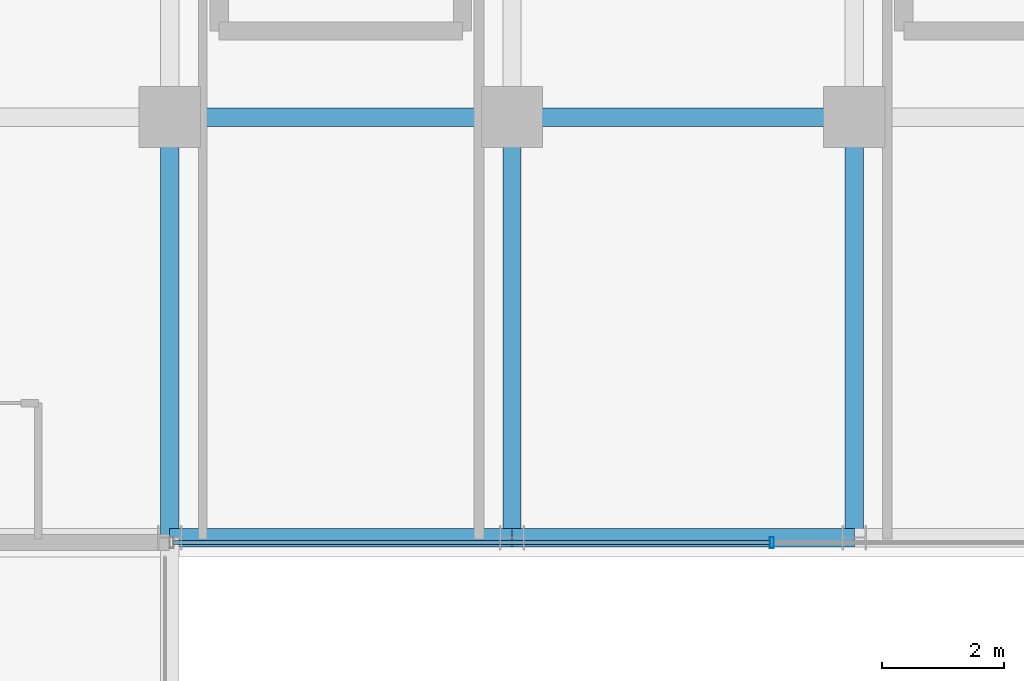
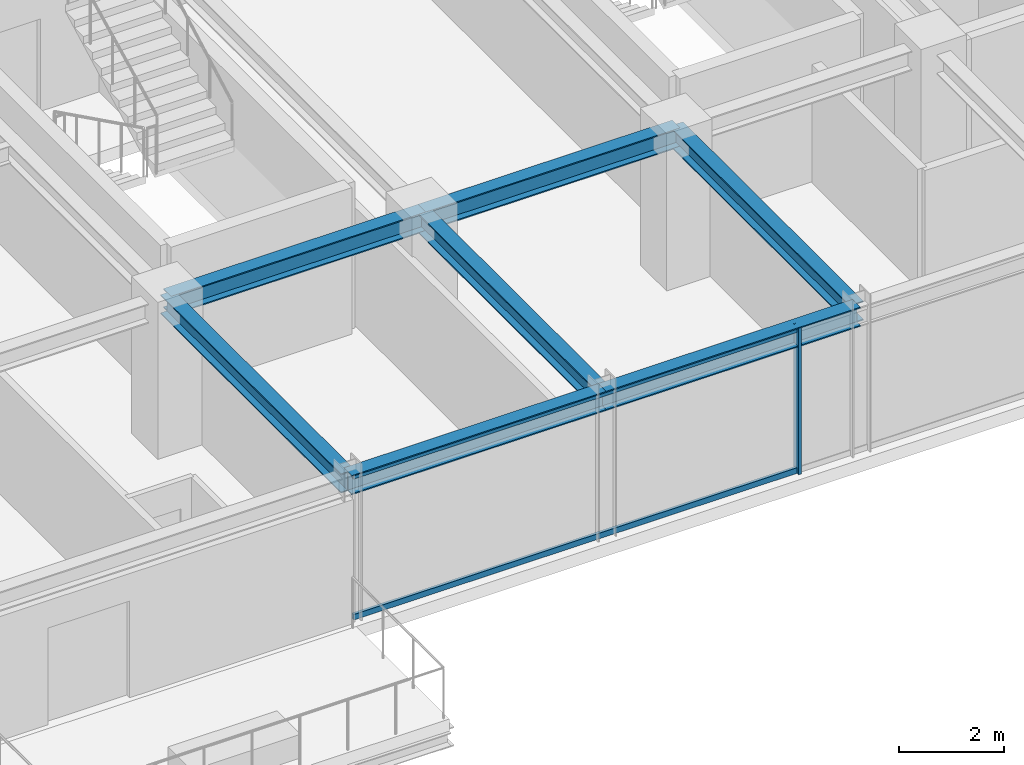
# One storey, part 7 of 35: 7 beams, 3 members, 1 element without a shape of its own.
"""IFC4 building model written with IfcOpenShell, lengths in metres."""

from ifc_helpers import new_model, si_unit, direction, frame, origin, origin_2d, place, context, subcontext, project, spatial, hollow_rectangle, i_section, extrude, source, transform, mapped, material, material_profile, profile_set, type_object, element, aggregate, save


model = new_model("IFC4")

# Units and contexts
model_context = context("Model", 3, precision=1e-05, world=origin(), true_north=direction((0.0, 1.0)))
body_context = subcontext(model_context, "Body", "Model", "MODEL_VIEW")
ifc_project = project(units=[si_unit("LENGTHUNIT", "METRE"), si_unit("AREAUNIT", "SQUARE_METRE"), si_unit("VOLUMEUNIT", "CUBIC_METRE"), si_unit("PLANEANGLEUNIT", "RADIAN"), si_unit("MASSUNIT", "GRAM", prefix="KILO")], contexts=[model_context])

# Site, building, storey
site_placement = place(None, origin())
site = spatial("IfcSite", under=ifc_project, at=site_placement, CompositionType="ELEMENT")
building_placement = place(site_placement, origin())
building = spatial("IfcBuilding", under=site, at=building_placement, Name="Nahalor Promenade Grand Hotel", CompositionType="ELEMENT")
storey_placement = place(building_placement, frame((0.0, 0.0, 216.0)))
storey = spatial("IfcBuildingStorey", under=building, at=storey_placement, Name="L55", CompositionType="ELEMENT", Elevation=216.0)

# Beams
ifc_material_1 = material(Name="Steel S355JR", Category="steel")
ifc_material_profile_1 = material_profile(ifc_material_1, i_section(OverallWidth=0.3, OverallDepth=0.45, WebThickness=0.014, FlangeThickness=0.026, at=origin_2d()), Name="HEB 450")
ifc_profile_set_1 = profile_set([ifc_material_profile_1], Name="Steel S355JR")
beam_type_1 = type_object("IfcBeamType", Name="Beam-Spandrel-HEB450", PredefinedType="SPANDREL", material=ifc_profile_set_1)
shared_shape_1 = source(origin(), body_context, "Body", "SweptSolid", [
    extrude(i_section(OverallWidth=0.3, OverallDepth=0.45, WebThickness=0.014, FlangeThickness=0.026, at=origin_2d()), origin(), (0.0, 0.0, 1.0), 5.599853515625),
])
beam_1_placement = place(storey_placement, frame((-8.39990234375, -23.8798828125, 3.18505859375), z_axis=(1.0, 0.0, 0.0), x_axis=(0.0, 1.0, 0.0)))
element("IfcBeam", 1, at=beam_1_placement, inside=storey, type_object=beam_type_1, Name="BM-L55-SP-S-1", PredefinedType="SPANDREL", context=body_context, shape_type="MappedRepresentation", body=[
    mapped(shared_shape_1, transform((0.0, 0.0, 0.0), scale=1.0)),
])
shared_shape_2 = source(origin(), body_context, "Body", "SweptSolid", [
    extrude(i_section(OverallWidth=0.3, OverallDepth=0.45, WebThickness=0.014, FlangeThickness=0.026, at=origin_2d()), origin(), (0.0, 0.0, 1.0), 5.60009765625),
])
beam_2_placement = place(storey_placement, frame((-2.800048828125, -23.8798828125, 3.18505859375), z_axis=(1.0, 0.0, 0.0), x_axis=(0.0, 1.0, 0.0)))
element("IfcBeam", 2, at=beam_2_placement, inside=storey, type_object=beam_type_1, Name="BM-L55-SP-S-2", PredefinedType="SPANDREL", context=body_context, shape_type="MappedRepresentation", body=[
    mapped(shared_shape_2, transform((0.0, 0.0, 0.0), scale=1.0)),
])
ifc_material_profile_2 = material_profile(ifc_material_1, i_section(OverallWidth=0.3, OverallDepth=0.45, WebThickness=0.014, FlangeThickness=0.026, at=origin_2d()), Name="HEB 450")
ifc_profile_set_2 = profile_set([ifc_material_profile_2], Name="Steel S355JR")
beam_type_2 = type_object("IfcBeamType", Name="Beam-Girder-HEB450", PredefinedType="BEAM", material=ifc_profile_set_2)
shared_shape_3 = source(origin(), body_context, "Body", "SweptSolid", [
    extrude(i_section(OverallWidth=0.3, OverallDepth=0.45, WebThickness=0.014, FlangeThickness=0.026, at=origin_2d()), origin(), (0.0, 0.0, 1.0), 6.8798828125),
])
for number, where, z_axis, x_axis, name in (
    (3, (-8.39990234375, -23.8798828125, 3.18505859375), (0.0, 1.0, 0.0), (-1.0, 0.0, 0.0), "BM-L55-GY-1-0"),
    (4, (-2.800048828125, -23.8798828125, 3.18505859375), (0.0, 1.0, 0.0), (-1.0, 0.0, 0.0), "BM-L55-GY-2-0"),
    (5, (2.800048828125, -23.8798828125, 3.18505859375), (0.0, 1.0, 0.0), (-1.0, 0.0, 0.0), "BM-L55-GY-3-0"),
):
    element("IfcBeam", number, at=place(storey_placement, frame(where, z_axis=z_axis, x_axis=x_axis)), inside=storey, type_object=beam_type_2, Name=name, PredefinedType="BEAM", context=body_context, shape_type="MappedRepresentation", body=[
        mapped(shared_shape_3, transform((0.0, 0.0, 0.0), scale=1.0)),
    ])
shared_shape_4 = source(origin(), body_context, "Body", "SweptSolid", [
    extrude(i_section(OverallWidth=0.3, OverallDepth=0.45, WebThickness=0.014, FlangeThickness=0.026, at=origin_2d()), origin(), (0.0, 0.0, 1.0), 5.599853515625),
])
beam_3_placement = place(storey_placement, frame((-8.39990234375, -17.0, 3.18505859375), z_axis=(1.0, 0.0, 0.0), x_axis=(0.0, 1.0, 0.0)))
element("IfcBeam", 6, at=beam_3_placement, inside=storey, type_object=beam_type_2, Name="BM-L55-GX-0-2", PredefinedType="BEAM", context=body_context, shape_type="MappedRepresentation", body=[
    mapped(shared_shape_4, transform((0.0, 0.0, 0.0), scale=1.0)),
])
shared_shape_5 = source(origin(), body_context, "Body", "SweptSolid", [
    extrude(i_section(OverallWidth=0.3, OverallDepth=0.45, WebThickness=0.014, FlangeThickness=0.026, at=origin_2d()), origin(), (0.0, 0.0, 1.0), 5.60009765625),
])
beam_4_placement = place(storey_placement, frame((-2.800048828125, -17.0, 3.18505859375), z_axis=(1.0, 0.0, 0.0), x_axis=(0.0, 1.0, 0.0)))
element("IfcBeam", 7, at=beam_4_placement, inside=storey, type_object=beam_type_2, Name="BM-L55-GX-0-3", PredefinedType="BEAM", context=body_context, shape_type="MappedRepresentation", body=[
    mapped(shared_shape_5, transform((0.0, 0.0, 0.0), scale=1.0)),
])

# Curtain wall, members
ifc_material_2 = material(Name="Anodised Bronze Aluminium EN AW-6063 T6", Category="aluminium")
curtain_wall_type = type_object("IfcCurtainWallType", Name="CW2 Typical Hotel Flush Bronze Unitised Curtain Wall", PredefinedType="USERDEFINED", material=ifc_material_2)
curtain_wall_placement = place(storey_placement, origin())
curtain_wall = element("IfcCurtainWall", 8, at=curtain_wall_placement, inside=storey, type_object=curtain_wall_type, Name="L55 Curtain Wall CW-L55-S-3", ObjectType="UNITISED_CURTAIN_WALL", PredefinedType="USERDEFINED")
ifc_material_profile_3 = material_profile(ifc_material_2, hollow_rectangle(XDim=0.065, YDim=0.13, WallThickness=0.004, at=origin_2d()), Name="CWT 65x130x4")
ifc_profile_set_3 = profile_set([ifc_material_profile_3], Name="Anodised Bronze Aluminium EN AW-6063 T6")
member_type_1 = type_object("IfcMemberType", Name="CWT2 Typical Bronze Transom 65x130", PredefinedType="USERDEFINED", material=ifc_profile_set_3)
shared_shape_6 = source(origin(), body_context, "Body", "SweptSolid", [
    extrude(hollow_rectangle(XDim=0.065, YDim=0.13, WallThickness=0.004, at=origin_2d()), origin(), (0.0, 0.0, 1.0), 9.755859375),
])
member_1_placement = place(storey_placement, frame((-8.3349609375, -23.9599609375, 0.06494140625), z_axis=(1.0, 0.0, 0.0), x_axis=(0.0, 1.0, 0.0)))
member_1 = element("IfcMember", 9, at=member_1_placement, type_object=member_type_1, Name="CW-L55-S-3 Transom 0-0", ObjectType="TRANSOM", PredefinedType="USERDEFINED", context=body_context, shape_type="MappedRepresentation", body=[
    mapped(shared_shape_6, transform((0.0, 0.0, 0.0), scale=1.0)),
])
member_2_placement = place(storey_placement, frame((-8.3349609375, -23.9599609375, 3.344970703125), z_axis=(1.0, 0.0, 0.0), x_axis=(0.0, 1.0, 0.0)))
member_2 = element("IfcMember", 10, at=member_2_placement, type_object=member_type_1, Name="CW-L55-S-3 Transom 0-1", ObjectType="TRANSOM", PredefinedType="USERDEFINED", context=body_context, shape_type="MappedRepresentation", body=[
    mapped(shared_shape_6, transform((0.0, 0.0, 0.0), scale=1.0)),
])
ifc_material_profile_4 = material_profile(ifc_material_2, hollow_rectangle(XDim=0.065, YDim=0.18, WallThickness=0.004, at=origin_2d()), Name="CWM 65x180x4")
ifc_profile_set_4 = profile_set([ifc_material_profile_4], Name="Anodised Bronze Aluminium EN AW-6063 T6")
member_type_2 = type_object("IfcMemberType", Name="CWM2 Typical Bronze Mullion 65x180", PredefinedType="MULLION", material=ifc_profile_set_4)
shared_shape_7 = source(origin(), body_context, "Body", "SweptSolid", [
    extrude(hollow_rectangle(XDim=0.065, YDim=0.18, WallThickness=0.004, at=origin_2d()), origin(), (0.0, 0.0, 1.0), 3.409912109375),
])
member_3_placement = place(storey_placement, frame((1.453369140625, -23.9599609375, 0.0), z_axis=(0.0, 0.0, 1.0), x_axis=(1.0, 0.0, 0.0)))
member_3 = element("IfcMember", 11, at=member_3_placement, type_object=member_type_2, Name="CW-L55-S-3 Mullion 1", PredefinedType="MULLION", context=body_context, shape_type="MappedRepresentation", body=[
    mapped(shared_shape_7, transform((0.0, 0.0, 0.0), scale=1.0)),
])
aggregate(curtain_wall, [member_3, member_1, member_2])

save(model, "model.ifc")
